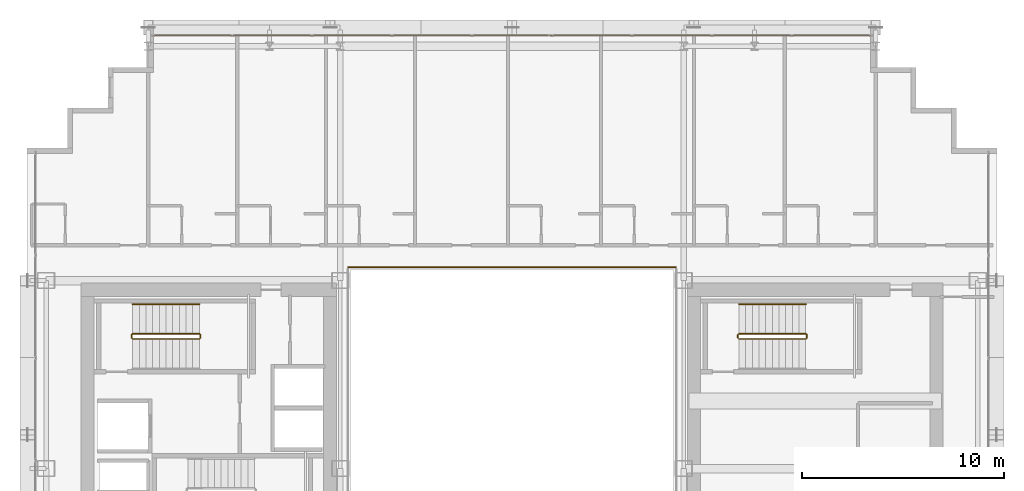
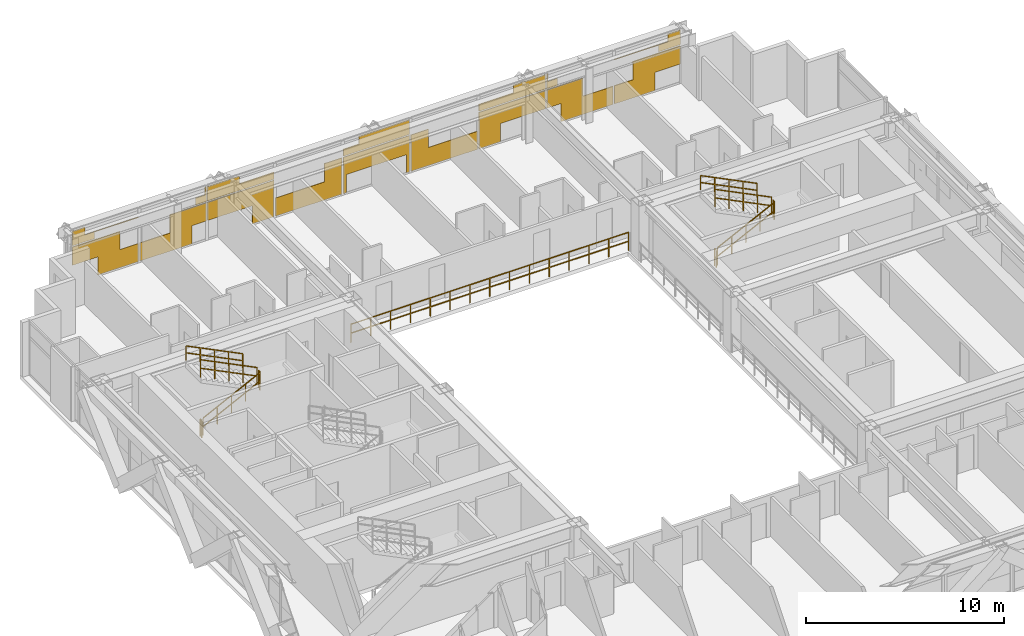
# One storey, part 36 of 36: 11 railings, 1 covering.
"""IFC4 building model written with IfcOpenShell, lengths in metres."""

from ifc_helpers import new_model, si_unit, direction, frame, origin, origin_2d, place, context, subcontext, project, spatial, rectangle, extrude, material, layer, layer_set, type_object, element, save


model = new_model("IFC4")

# Units and contexts
model_context = context("Model", 3, precision=1e-05, world=origin(), true_north=direction((0.0, 1.0)))
body_context = subcontext(model_context, "Body", "Model", "MODEL_VIEW")
ifc_project = project(units=[si_unit("LENGTHUNIT", "METRE"), si_unit("AREAUNIT", "SQUARE_METRE"), si_unit("VOLUMEUNIT", "CUBIC_METRE"), si_unit("PLANEANGLEUNIT", "RADIAN"), si_unit("MASSUNIT", "GRAM", prefix="KILO")], contexts=[model_context])

# Site, building, storey
site_placement = place(None, origin())
site = spatial("IfcSite", under=ifc_project, at=site_placement, CompositionType="ELEMENT")
building_placement = place(site_placement, origin())
building = spatial("IfcBuilding", under=site, at=building_placement, Name="Ocotamira Hotel", CompositionType="ELEMENT")
storey_placement = place(building_placement, frame((0.0, 0.0, 129.60009765625)))
storey = spatial("IfcBuildingStorey", under=building, at=storey_placement, Name="L32", CompositionType="ELEMENT", Elevation=129.60009765625)

# Covering
ifc_material_1 = material(Name="Insulated pale-metal aluminium spandrel panel", Category="aluminium")
ifc_layer = layer(ifc_material_1, 0.044921875)
ifc_layer_set = layer_set([ifc_layer], Name="Insulated pale-metal aluminium spandrel panel")
covering_type = type_object("IfcCoveringType", Name="COV-INFILL-45", PredefinedType="CLADDING", material=ifc_layer_set)
covering_placement = place(storey_placement, origin())
element("IfcCovering", 1, at=covering_placement, inside=storey, type_object=covering_type, Name="L32 Curtain Wall Infill CW-3 CW-L32-N", PredefinedType="CLADDING", context=body_context, shape_type="SweptSolid", body=[
    extrude(rectangle(XDim=2.754638671875, YDim=0.044921875, at=origin_2d()), frame((15.65771484375, 49.580078125, 1.19384765625), z_axis=(0.0, 0.0, 1.0), x_axis=(1.0, 0.0, 0.0)), (0.0, 0.0, 1.0), 1.117919921875),
    extrude(rectangle(XDim=2.359619140625, YDim=0.044921875, at=origin_2d()), frame((16.935302734375, 49.580078125, 0.075439453125), z_axis=(0.0, 0.0, 1.0), x_axis=(1.0, 0.0, 0.0)), (0.0, 0.0, 1.0), 1.11767578125),
    extrude(rectangle(XDim=1.262451171875, YDim=0.044921875, at=origin_2d()), frame((14.91162109375, 49.580078125, 2.387939453125), z_axis=(0.0, 0.0, 1.0), x_axis=(1.0, 0.0, 0.0)), (0.0, 0.0, 1.0), 0.3935546875),
    extrude(rectangle(XDim=3.834716796875, YDim=0.044921875, at=origin_2d()), frame((16.19775390625, 49.580078125, 2.782470703125), z_axis=(0.0, 0.0, 1.0), x_axis=(1.0, 0.0, 0.0)), (0.0, 0.0, 1.0), 0.0302734375),
    extrude(rectangle(XDim=0.730224609375, YDim=0.044921875, at=origin_2d()), frame((14.6455078125, 49.580078125, 2.813720703125), z_axis=(0.0, 0.0, 1.0), x_axis=(1.0, 0.0, 0.0)), (0.0, 0.0, 1.0), 0.470703125),
    extrude(rectangle(XDim=3.04833984375, YDim=0.044921875, at=origin_2d()), frame((19.72021484375, 49.580078125, 0.075439453125), z_axis=(0.0, 0.0, 1.0), x_axis=(1.0, 0.0, 0.0)), (0.0, 0.0, 1.0), 1.11767578125),
    extrude(rectangle(XDim=2.105712890625, YDim=0.044921875, at=origin_2d()), frame((21.017578125, 49.580078125, 1.19384765625), z_axis=(0.0, 0.0, 1.0), x_axis=(1.0, 0.0, 0.0)), (0.0, 0.0, 1.0), 1.117919921875),
    extrude(rectangle(XDim=0.613525390625, YDim=0.044921875, at=origin_2d()), frame((21.763916015625, 49.580078125, 2.387939453125), z_axis=(0.0, 0.0, 1.0), x_axis=(1.0, 0.0, 0.0)), (0.0, 0.0, 1.0), 0.4248046875),
    extrude(rectangle(XDim=0.081298828125, YDim=0.044921875, at=origin_2d()), frame((22.02978515625, 49.580078125, 2.813720703125), z_axis=(0.0, 0.0, 1.0), x_axis=(1.0, 0.0, 0.0)), (0.0, 0.0, 1.0), 0.470703125),
    extrude(rectangle(XDim=3.87451171875, YDim=0.044921875, at=origin_2d()), frame((24.0888671875, 49.580078125, 1.19384765625), z_axis=(0.0, 0.0, 1.0), x_axis=(1.0, 0.0, 0.0)), (0.0, 0.0, 1.0), 1.117919921875),
    extrude(rectangle(XDim=1.270751953125, YDim=0.044921875, at=origin_2d()), frame((25.390869140625, 49.580078125, 0.075439453125), z_axis=(0.0, 0.0, 1.0), x_axis=(1.0, 0.0, 0.0)), (0.0, 0.0, 1.0), 1.11767578125),
    extrude(rectangle(XDim=3.87451171875, YDim=0.044921875, at=origin_2d()), frame((24.0888671875, 49.580078125, 2.387939453125), z_axis=(0.0, 0.0, 1.0), x_axis=(1.0, 0.0, 0.0)), (0.0, 0.0, 1.0), 0.4248046875),
    extrude(rectangle(XDim=1.859130859375, YDim=0.044921875, at=origin_2d()), frame((23.081298828125, 49.580078125, 2.813720703125), z_axis=(0.0, 0.0, 1.0), x_axis=(1.0, 0.0, 0.0)), (0.0, 0.0, 1.0), 0.470703125),
    extrude(rectangle(XDim=3.87451171875, YDim=0.044921875, at=origin_2d()), frame((28.04443359375, 49.580078125, 0.075439453125), z_axis=(0.0, 0.0, 1.0), x_axis=(1.0, 0.0, 0.0)), (0.0, 0.0, 1.0), 1.11767578125),
    extrude(rectangle(XDim=1.016845703125, YDim=0.044921875, at=origin_2d()), frame((29.473388671875, 49.580078125, 1.19384765625), z_axis=(0.0, 0.0, 1.0), x_axis=(1.0, 0.0, 0.0)), (0.0, 0.0, 1.0), 1.117919921875),
    extrude(rectangle(XDim=0.181884765625, YDim=0.044921875, at=origin_2d()), frame((30.153564453125, 49.580078125, 0.075439453125), z_axis=(0.0, 0.0, 1.0), x_axis=(1.0, 0.0, 0.0)), (0.0, 0.0, 1.0), 1.11767578125),
    extrude(rectangle(XDim=3.87451171875, YDim=0.044921875, at=origin_2d()), frame((32.0, 49.580078125, 1.19384765625), z_axis=(0.0, 0.0, 1.0), x_axis=(1.0, 0.0, 0.0)), (0.0, 0.0, 1.0), 1.117919921875),
    extrude(rectangle(XDim=0.181884765625, YDim=0.044921875, at=origin_2d()), frame((33.846435546875, 49.580078125, 0.075439453125), z_axis=(0.0, 0.0, 1.0), x_axis=(1.0, 0.0, 0.0)), (0.0, 0.0, 1.0), 1.11767578125),
    extrude(rectangle(XDim=3.87451171875, YDim=0.044921875, at=origin_2d()), frame((32.0, 49.580078125, 2.387939453125), z_axis=(0.0, 0.0, 1.0), x_axis=(1.0, 0.0, 0.0)), (0.0, 0.0, 1.0), 0.4248046875),
    extrude(rectangle(XDim=2.947998046875, YDim=0.044921875, at=origin_2d()), frame((32.46337890625, 49.580078125, 2.813720703125), z_axis=(0.0, 0.0, 1.0), x_axis=(1.0, 0.0, 0.0)), (0.0, 0.0, 1.0), 0.470703125),
    extrude(rectangle(XDim=3.87451171875, YDim=0.044921875, at=origin_2d()), frame((35.95556640625, 49.580078125, 0.075439453125), z_axis=(0.0, 0.0, 1.0), x_axis=(1.0, 0.0, 0.0)), (0.0, 0.0, 1.0), 1.11767578125),
    extrude(rectangle(XDim=1.016845703125, YDim=0.044921875, at=origin_2d()), frame((34.526611328125, 49.580078125, 1.19384765625), z_axis=(0.0, 0.0, 1.0), x_axis=(1.0, 0.0, 0.0)), (0.0, 0.0, 1.0), 1.117919921875),
    extrude(rectangle(XDim=1.270751953125, YDim=0.044921875, at=origin_2d()), frame((38.609130859375, 49.580078125, 0.075439453125), z_axis=(0.0, 0.0, 1.0), x_axis=(1.0, 0.0, 0.0)), (0.0, 0.0, 1.0), 1.11767578125),
    extrude(rectangle(XDim=3.87451171875, YDim=0.044921875, at=origin_2d()), frame((39.9111328125, 49.580078125, 1.19384765625), z_axis=(0.0, 0.0, 1.0), x_axis=(1.0, 0.0, 0.0)), (0.0, 0.0, 1.0), 1.117919921875),
    extrude(rectangle(XDim=3.87451171875, YDim=0.044921875, at=origin_2d()), frame((39.9111328125, 49.580078125, 2.387939453125), z_axis=(0.0, 0.0, 1.0), x_axis=(1.0, 0.0, 0.0)), (0.0, 0.0, 1.0), 0.4248046875),
    extrude(rectangle(XDim=1.859130859375, YDim=0.044921875, at=origin_2d()), frame((40.918701171875, 49.580078125, 2.813720703125), z_axis=(0.0, 0.0, 1.0), x_axis=(1.0, 0.0, 0.0)), (0.0, 0.0, 1.0), 0.470703125),
    extrude(rectangle(XDim=2.105712890625, YDim=0.044921875, at=origin_2d()), frame((42.982421875, 49.580078125, 1.19384765625), z_axis=(0.0, 0.0, 1.0), x_axis=(1.0, 0.0, 0.0)), (0.0, 0.0, 1.0), 1.117919921875),
    extrude(rectangle(XDim=3.04833984375, YDim=0.044921875, at=origin_2d()), frame((44.27978515625, 49.580078125, 0.075439453125), z_axis=(0.0, 0.0, 1.0), x_axis=(1.0, 0.0, 0.0)), (0.0, 0.0, 1.0), 1.11767578125),
    extrude(rectangle(XDim=0.613525390625, YDim=0.044921875, at=origin_2d()), frame((42.236083984375, 49.580078125, 2.387939453125), z_axis=(0.0, 0.0, 1.0), x_axis=(1.0, 0.0, 0.0)), (0.0, 0.0, 1.0), 0.4248046875),
    extrude(rectangle(XDim=0.081298828125, YDim=0.044921875, at=origin_2d()), frame((41.97021484375, 49.580078125, 2.813720703125), z_axis=(0.0, 0.0, 1.0), x_axis=(1.0, 0.0, 0.0)), (0.0, 0.0, 1.0), 0.470703125),
    extrude(rectangle(XDim=2.359619140625, YDim=0.044921875, at=origin_2d()), frame((47.064697265625, 49.580078125, 0.075439453125), z_axis=(0.0, 0.0, 1.0), x_axis=(1.0, 0.0, 0.0)), (0.0, 0.0, 1.0), 1.11767578125),
    extrude(rectangle(XDim=2.754638671875, YDim=0.044921875, at=origin_2d()), frame((48.34228515625, 49.580078125, 1.19384765625), z_axis=(0.0, 0.0, 1.0), x_axis=(1.0, 0.0, 0.0)), (0.0, 0.0, 1.0), 1.117919921875),
    extrude(rectangle(XDim=3.834716796875, YDim=0.044921875, at=origin_2d()), frame((47.80224609375, 49.580078125, 2.782470703125), z_axis=(0.0, 0.0, 1.0), x_axis=(1.0, 0.0, 0.0)), (0.0, 0.0, 1.0), 0.0302734375),
    extrude(rectangle(XDim=1.262451171875, YDim=0.044921875, at=origin_2d()), frame((49.08837890625, 49.580078125, 2.387939453125), z_axis=(0.0, 0.0, 1.0), x_axis=(1.0, 0.0, 0.0)), (0.0, 0.0, 1.0), 0.3935546875),
    extrude(rectangle(XDim=0.730224609375, YDim=0.044921875, at=origin_2d()), frame((49.3544921875, 49.580078125, 2.813720703125), z_axis=(0.0, 0.0, 1.0), x_axis=(1.0, 0.0, 0.0)), (0.0, 0.0, 1.0), 0.470703125),
])

# Railings
ifc_material_2 = material(Name="Painted steel stair guardrail", Category="steel")
railing_type_1 = type_object("IfcRailingType", Name="RL-EDGE-1150", PredefinedType="GUARDRAIL", material=ifc_material_2)
railing_1_placement = place(storey_placement, frame((40.10009765625, 38.1201171875, 0.0)))
element("IfcRailing", 2, at=railing_1_placement, inside=storey, type_object=railing_type_1, Name="L32 Central Atrium Edge Guardrail N", PredefinedType="GUARDRAIL", context=body_context, shape_type="SweptSolid", body=[
    extrude(rectangle(XDim=0.048095703125, YDim=0.048095703125, at=origin_2d()), frame((0.0, 0.0, 1.1259765625), z_axis=(-1.0, 0.0, 0.0), x_axis=(0.0, -1.0, 0.0)), (0.0, 0.0, 1.0), 16.2001953125),
    extrude(rectangle(XDim=0.048095703125, YDim=0.048095703125, at=origin_2d()), frame((0.0, 0.0, 0.574951171875), z_axis=(-1.0, 0.0, 0.0), x_axis=(0.0, -1.0, 0.0)), (0.0, 0.0, 1.0), 16.2001953125),
    extrude(rectangle(XDim=0.0419921875, YDim=0.0419921875, at=origin_2d()), origin(), (0.0, 0.0, 1.0), 1.101806640625),
    extrude(rectangle(XDim=0.0419921875, YDim=0.0419921875, at=origin_2d()), frame((-1.1572265625, 0.0, 0.0)), (0.0, 0.0, 1.0), 1.101806640625),
    extrude(rectangle(XDim=0.0419921875, YDim=0.0419921875, at=origin_2d()), frame((-2.314208984375, 0.0, 0.0)), (0.0, 0.0, 1.0), 1.101806640625),
    extrude(rectangle(XDim=0.0419921875, YDim=0.0419921875, at=origin_2d()), frame((-3.471435546875, 0.0, 0.0)), (0.0, 0.0, 1.0), 1.101806640625),
    extrude(rectangle(XDim=0.0419921875, YDim=0.0419921875, at=origin_2d()), frame((-4.628662109375, 0.0, 0.0)), (0.0, 0.0, 1.0), 1.101806640625),
    extrude(rectangle(XDim=0.0419921875, YDim=0.0419921875, at=origin_2d()), frame((-5.785888671875, 0.0, 0.0)), (0.0, 0.0, 1.0), 1.101806640625),
    extrude(rectangle(XDim=0.0419921875, YDim=0.0419921875, at=origin_2d()), frame((-6.94287109375, 0.0, 0.0)), (0.0, 0.0, 1.0), 1.101806640625),
    extrude(rectangle(XDim=0.0419921875, YDim=0.0419921875, at=origin_2d()), frame((-8.10009765625, 0.0, 0.0)), (0.0, 0.0, 1.0), 1.101806640625),
    extrude(rectangle(XDim=0.0419921875, YDim=0.0419921875, at=origin_2d()), frame((-9.25732421875, 0.0, 0.0)), (0.0, 0.0, 1.0), 1.101806640625),
    extrude(rectangle(XDim=0.0419921875, YDim=0.0419921875, at=origin_2d()), frame((-10.414306640625, 0.0, 0.0)), (0.0, 0.0, 1.0), 1.101806640625),
    extrude(rectangle(XDim=0.0419921875, YDim=0.0419921875, at=origin_2d()), frame((-11.571533203125, 0.0, 0.0)), (0.0, 0.0, 1.0), 1.101806640625),
    extrude(rectangle(XDim=0.0419921875, YDim=0.0419921875, at=origin_2d()), frame((-12.728759765625, 0.0, 0.0)), (0.0, 0.0, 1.0), 1.101806640625),
    extrude(rectangle(XDim=0.0419921875, YDim=0.0419921875, at=origin_2d()), frame((-13.885986328125, 0.0, 0.0)), (0.0, 0.0, 1.0), 1.101806640625),
    extrude(rectangle(XDim=0.0419921875, YDim=0.0419921875, at=origin_2d()), frame((-15.04296875, 0.0, 0.0)), (0.0, 0.0, 1.0), 1.101806640625),
    extrude(rectangle(XDim=0.0419921875, YDim=0.0419921875, at=origin_2d()), frame((-16.2001953125, 0.0, 0.0)), (0.0, 0.0, 1.0), 1.101806640625),
])
ifc_material_3 = material(Name="Brushed stainless steel handrail", Category="steel")
railing_type_2 = type_object("IfcRailingType", Name="RL-HAND-900", PredefinedType="HANDRAIL", material=ifc_material_3)
for number, where, name in (
    (3, (16.530029296875, 36.280029296875, 2.127197265625), "L32 ST-2 stair handrail 2"),
    (4, (46.530029296875, 36.280029296875, 2.127197265625), "L32 ST-4 stair handrail 2"),
):
    element("IfcRailing", number, at=place(storey_placement, frame(where)), inside=storey, type_object=railing_type_2, Name=name, PredefinedType="HANDRAIL", context=body_context, shape_type="SweptSolid", body=[
        extrude(rectangle(XDim=0.048095703125, YDim=0.048095703125, at=origin_2d()), frame((0.0, 0.0, 0.8759765625), z_axis=(-0.895920123917, 0.0, 0.444215186098), x_axis=(0.0, -1.0, 0.0)), (0.0, 0.0, 1.0), 3.683349609375),
        extrude(rectangle(XDim=0.048095703125, YDim=0.048095703125, at=origin_2d()), frame((0.0, 0.0, 0.449951171875), z_axis=(-0.895920123917, 0.0, 0.444215186098), x_axis=(0.0, -1.0, 0.0)), (0.0, 0.0, 1.0), 3.683349609375),
        extrude(rectangle(XDim=0.0419921875, YDim=0.0419921875, at=origin_2d()), origin(), (0.0, 0.0, 1.0), 0.851806640625),
        extrude(rectangle(XDim=0.0419921875, YDim=0.0419921875, at=origin_2d()), frame((-0.824951171875, 0.0, 0.4091796875)), (0.0, 0.0, 1.0), 0.851806640625),
        extrude(rectangle(XDim=0.0419921875, YDim=0.0419921875, at=origin_2d()), frame((-1.64990234375, 0.0, 0.818115234375)), (0.0, 0.0, 1.0), 0.851806640625),
        extrude(rectangle(XDim=0.0419921875, YDim=0.0419921875, at=origin_2d()), frame((-2.47509765625, 0.0, 1.22705078125)), (0.0, 0.0, 1.0), 0.851806640625),
        extrude(rectangle(XDim=0.0419921875, YDim=0.0419921875, at=origin_2d()), frame((-3.300048828125, 0.0, 1.63623046875)), (0.0, 0.0, 1.0), 0.851806640625),
    ])
railing_type_3 = type_object("IfcRailingType", Name="RL-STAIR-1100", PredefinedType="GUARDRAIL", material=ifc_material_2)
railing_2_placement = place(storey_placement, frame((13.22998046875, 34.56005859375, 0.16357421875)))
element("IfcRailing", 5, at=railing_2_placement, inside=storey, type_object=railing_type_3, Name="L32 ST-2 stair guard 1", PredefinedType="GUARDRAIL", context=body_context, shape_type="SweptSolid", body=[
    extrude(rectangle(XDim=0.048095703125, YDim=0.048095703125, at=origin_2d()), frame((0.0, 0.0, 1.076171875), z_axis=(0.895920123917, 0.0, 0.444215186098), x_axis=(0.0, 1.0, 0.0)), (0.0, 0.0, 1.0), 3.683349609375),
    extrude(rectangle(XDim=0.048095703125, YDim=0.048095703125, at=origin_2d()), frame((0.0, 0.0, 0.550048828125), z_axis=(0.895920123917, 0.0, 0.444215186098), x_axis=(0.0, 1.0, 0.0)), (0.0, 0.0, 1.0), 3.683349609375),
    extrude(rectangle(XDim=0.0419921875, YDim=0.0419921875, at=origin_2d()), origin(), (0.0, 0.0, 1.0), 1.052001953125),
    extrude(rectangle(XDim=0.0419921875, YDim=0.0419921875, at=origin_2d()), frame((0.824951171875, 0.0, 0.4091796875)), (0.0, 0.0, 1.0), 1.052001953125),
    extrude(rectangle(XDim=0.0419921875, YDim=0.0419921875, at=origin_2d()), frame((1.64990234375, 0.0, 0.818115234375)), (0.0, 0.0, 1.0), 1.052001953125),
    extrude(rectangle(XDim=0.0419921875, YDim=0.0419921875, at=origin_2d()), frame((2.47509765625, 0.0, 1.22705078125)), (0.0, 0.0, 1.0), 1.052001953125),
    extrude(rectangle(XDim=0.0419921875, YDim=0.0419921875, at=origin_2d()), frame((3.300048828125, 0.0, 1.63623046875)), (0.0, 0.0, 1.0), 1.052001953125),
])
railing_3_placement = place(storey_placement, frame((16.580078125, 34.610107421875, 1.7998046875)))
element("IfcRailing", 6, at=railing_3_placement, inside=storey, type_object=railing_type_3, Name="L32 ST-2 stair guard 2", PredefinedType="GUARDRAIL", context=body_context, shape_type="SweptSolid", body=[
    extrude(rectangle(XDim=0.048095703125, YDim=0.048095703125, at=origin_2d()), frame((0.0, 0.0, 1.076171875), z_axis=(0.0, 1.0, 0.0), x_axis=(-1.0, 0.0, 0.0)), (0.0, 0.0, 1.0), 0.159912109375),
    extrude(rectangle(XDim=0.048095703125, YDim=0.048095703125, at=origin_2d()), frame((0.0, 0.0, 0.550048828125), z_axis=(0.0, 1.0, 0.0), x_axis=(-1.0, 0.0, 0.0)), (0.0, 0.0, 1.0), 0.159912109375),
    extrude(rectangle(XDim=0.0419921875, YDim=0.0419921875, at=origin_2d()), origin(), (0.0, 0.0, 1.0), 1.052001953125),
    extrude(rectangle(XDim=0.0419921875, YDim=0.0419921875, at=origin_2d()), frame((0.0, 0.159912109375, 0.0)), (0.0, 0.0, 1.0), 1.052001953125),
])
railing_4_placement = place(storey_placement, frame((16.530029296875, 34.820068359375, 1.963623046875)))
element("IfcRailing", 7, at=railing_4_placement, inside=storey, type_object=railing_type_3, Name="L32 ST-2 stair guard 3", PredefinedType="GUARDRAIL", context=body_context, shape_type="SweptSolid", body=[
    extrude(rectangle(XDim=0.048095703125, YDim=0.048095703125, at=origin_2d()), frame((0.0, 0.0, 1.076171875), z_axis=(-0.895920123917, 0.0, 0.444215186098), x_axis=(0.0, -1.0, 0.0)), (0.0, 0.0, 1.0), 3.683349609375),
    extrude(rectangle(XDim=0.048095703125, YDim=0.048095703125, at=origin_2d()), frame((0.0, 0.0, 0.550048828125), z_axis=(-0.895920123917, 0.0, 0.444215186098), x_axis=(0.0, -1.0, 0.0)), (0.0, 0.0, 1.0), 3.683349609375),
    extrude(rectangle(XDim=0.0419921875, YDim=0.0419921875, at=origin_2d()), origin(), (0.0, 0.0, 1.0), 1.052001953125),
    extrude(rectangle(XDim=0.0419921875, YDim=0.0419921875, at=origin_2d()), frame((-0.824951171875, 0.0, 0.4091796875)), (0.0, 0.0, 1.0), 1.052001953125),
    extrude(rectangle(XDim=0.0419921875, YDim=0.0419921875, at=origin_2d()), frame((-1.64990234375, 0.0, 0.818115234375)), (0.0, 0.0, 1.0), 1.052001953125),
    extrude(rectangle(XDim=0.0419921875, YDim=0.0419921875, at=origin_2d()), frame((-2.47509765625, 0.0, 1.22705078125)), (0.0, 0.0, 1.0), 1.052001953125),
    extrude(rectangle(XDim=0.0419921875, YDim=0.0419921875, at=origin_2d()), frame((-3.300048828125, 0.0, 1.63623046875)), (0.0, 0.0, 1.0), 1.052001953125),
])
railing_5_placement = place(storey_placement, frame((13.179931640625, 34.610107421875, 0.0)))
element("IfcRailing", 8, at=railing_5_placement, inside=storey, type_object=railing_type_3, Name="L32 ST-2 stair guard 4", PredefinedType="GUARDRAIL", context=body_context, shape_type="SweptSolid", body=[
    extrude(rectangle(XDim=0.048095703125, YDim=0.048095703125, at=origin_2d()), frame((0.0, 0.0, 1.076171875), z_axis=(0.0, 1.0, 0.0), x_axis=(-1.0, 0.0, 0.0)), (0.0, 0.0, 1.0), 0.159912109375),
    extrude(rectangle(XDim=0.048095703125, YDim=0.048095703125, at=origin_2d()), frame((0.0, 0.0, 0.550048828125), z_axis=(0.0, 1.0, 0.0), x_axis=(-1.0, 0.0, 0.0)), (0.0, 0.0, 1.0), 0.159912109375),
    extrude(rectangle(XDim=0.0419921875, YDim=0.0419921875, at=origin_2d()), origin(), (0.0, 0.0, 1.0), 1.052001953125),
    extrude(rectangle(XDim=0.0419921875, YDim=0.0419921875, at=origin_2d()), frame((0.0, 0.159912109375, 0.0)), (0.0, 0.0, 1.0), 1.052001953125),
])
railing_6_placement = place(storey_placement, frame((43.22998046875, 34.56005859375, 0.16357421875)))
element("IfcRailing", 9, at=railing_6_placement, inside=storey, type_object=railing_type_3, Name="L32 ST-4 stair guard 1", PredefinedType="GUARDRAIL", context=body_context, shape_type="SweptSolid", body=[
    extrude(rectangle(XDim=0.048095703125, YDim=0.048095703125, at=origin_2d()), frame((0.0, 0.0, 1.076171875), z_axis=(0.895920123917, 0.0, 0.444215186098), x_axis=(0.0, 1.0, 0.0)), (0.0, 0.0, 1.0), 3.683349609375),
    extrude(rectangle(XDim=0.048095703125, YDim=0.048095703125, at=origin_2d()), frame((0.0, 0.0, 0.550048828125), z_axis=(0.895920123917, 0.0, 0.444215186098), x_axis=(0.0, 1.0, 0.0)), (0.0, 0.0, 1.0), 3.683349609375),
    extrude(rectangle(XDim=0.0419921875, YDim=0.0419921875, at=origin_2d()), origin(), (0.0, 0.0, 1.0), 1.052001953125),
    extrude(rectangle(XDim=0.0419921875, YDim=0.0419921875, at=origin_2d()), frame((0.824951171875, 0.0, 0.4091796875)), (0.0, 0.0, 1.0), 1.052001953125),
    extrude(rectangle(XDim=0.0419921875, YDim=0.0419921875, at=origin_2d()), frame((1.64990234375, 0.0, 0.818115234375)), (0.0, 0.0, 1.0), 1.052001953125),
    extrude(rectangle(XDim=0.0419921875, YDim=0.0419921875, at=origin_2d()), frame((2.47509765625, 0.0, 1.22705078125)), (0.0, 0.0, 1.0), 1.052001953125),
    extrude(rectangle(XDim=0.0419921875, YDim=0.0419921875, at=origin_2d()), frame((3.300048828125, 0.0, 1.63623046875)), (0.0, 0.0, 1.0), 1.052001953125),
])
railing_7_placement = place(storey_placement, frame((46.580078125, 34.610107421875, 1.7998046875)))
element("IfcRailing", 10, at=railing_7_placement, inside=storey, type_object=railing_type_3, Name="L32 ST-4 stair guard 2", PredefinedType="GUARDRAIL", context=body_context, shape_type="SweptSolid", body=[
    extrude(rectangle(XDim=0.048095703125, YDim=0.048095703125, at=origin_2d()), frame((0.0, 0.0, 1.076171875), z_axis=(0.0, 1.0, 0.0), x_axis=(-1.0, 0.0, 0.0)), (0.0, 0.0, 1.0), 0.159912109375),
    extrude(rectangle(XDim=0.048095703125, YDim=0.048095703125, at=origin_2d()), frame((0.0, 0.0, 0.550048828125), z_axis=(0.0, 1.0, 0.0), x_axis=(-1.0, 0.0, 0.0)), (0.0, 0.0, 1.0), 0.159912109375),
    extrude(rectangle(XDim=0.0419921875, YDim=0.0419921875, at=origin_2d()), origin(), (0.0, 0.0, 1.0), 1.052001953125),
    extrude(rectangle(XDim=0.0419921875, YDim=0.0419921875, at=origin_2d()), frame((0.0, 0.159912109375, 0.0)), (0.0, 0.0, 1.0), 1.052001953125),
])
railing_8_placement = place(storey_placement, frame((46.530029296875, 34.820068359375, 1.963623046875)))
element("IfcRailing", 11, at=railing_8_placement, inside=storey, type_object=railing_type_3, Name="L32 ST-4 stair guard 3", PredefinedType="GUARDRAIL", context=body_context, shape_type="SweptSolid", body=[
    extrude(rectangle(XDim=0.048095703125, YDim=0.048095703125, at=origin_2d()), frame((0.0, 0.0, 1.076171875), z_axis=(-0.895920123917, 0.0, 0.444215186098), x_axis=(0.0, -1.0, 0.0)), (0.0, 0.0, 1.0), 3.683349609375),
    extrude(rectangle(XDim=0.048095703125, YDim=0.048095703125, at=origin_2d()), frame((0.0, 0.0, 0.550048828125), z_axis=(-0.895920123917, 0.0, 0.444215186098), x_axis=(0.0, -1.0, 0.0)), (0.0, 0.0, 1.0), 3.683349609375),
    extrude(rectangle(XDim=0.0419921875, YDim=0.0419921875, at=origin_2d()), origin(), (0.0, 0.0, 1.0), 1.052001953125),
    extrude(rectangle(XDim=0.0419921875, YDim=0.0419921875, at=origin_2d()), frame((-0.824951171875, 0.0, 0.4091796875)), (0.0, 0.0, 1.0), 1.052001953125),
    extrude(rectangle(XDim=0.0419921875, YDim=0.0419921875, at=origin_2d()), frame((-1.64990234375, 0.0, 0.818115234375)), (0.0, 0.0, 1.0), 1.052001953125),
    extrude(rectangle(XDim=0.0419921875, YDim=0.0419921875, at=origin_2d()), frame((-2.47509765625, 0.0, 1.22705078125)), (0.0, 0.0, 1.0), 1.052001953125),
    extrude(rectangle(XDim=0.0419921875, YDim=0.0419921875, at=origin_2d()), frame((-3.300048828125, 0.0, 1.63623046875)), (0.0, 0.0, 1.0), 1.052001953125),
])
railing_9_placement = place(storey_placement, frame((43.179931640625, 34.610107421875, 0.0)))
element("IfcRailing", 12, at=railing_9_placement, inside=storey, type_object=railing_type_3, Name="L32 ST-4 stair guard 4", PredefinedType="GUARDRAIL", context=body_context, shape_type="SweptSolid", body=[
    extrude(rectangle(XDim=0.048095703125, YDim=0.048095703125, at=origin_2d()), frame((0.0, 0.0, 1.076171875), z_axis=(0.0, 1.0, 0.0), x_axis=(-1.0, 0.0, 0.0)), (0.0, 0.0, 1.0), 0.159912109375),
    extrude(rectangle(XDim=0.048095703125, YDim=0.048095703125, at=origin_2d()), frame((0.0, 0.0, 0.550048828125), z_axis=(0.0, 1.0, 0.0), x_axis=(-1.0, 0.0, 0.0)), (0.0, 0.0, 1.0), 0.159912109375),
    extrude(rectangle(XDim=0.0419921875, YDim=0.0419921875, at=origin_2d()), origin(), (0.0, 0.0, 1.0), 1.052001953125),
    extrude(rectangle(XDim=0.0419921875, YDim=0.0419921875, at=origin_2d()), frame((0.0, 0.159912109375, 0.0)), (0.0, 0.0, 1.0), 1.052001953125),
])

save(model, "model.ifc")
